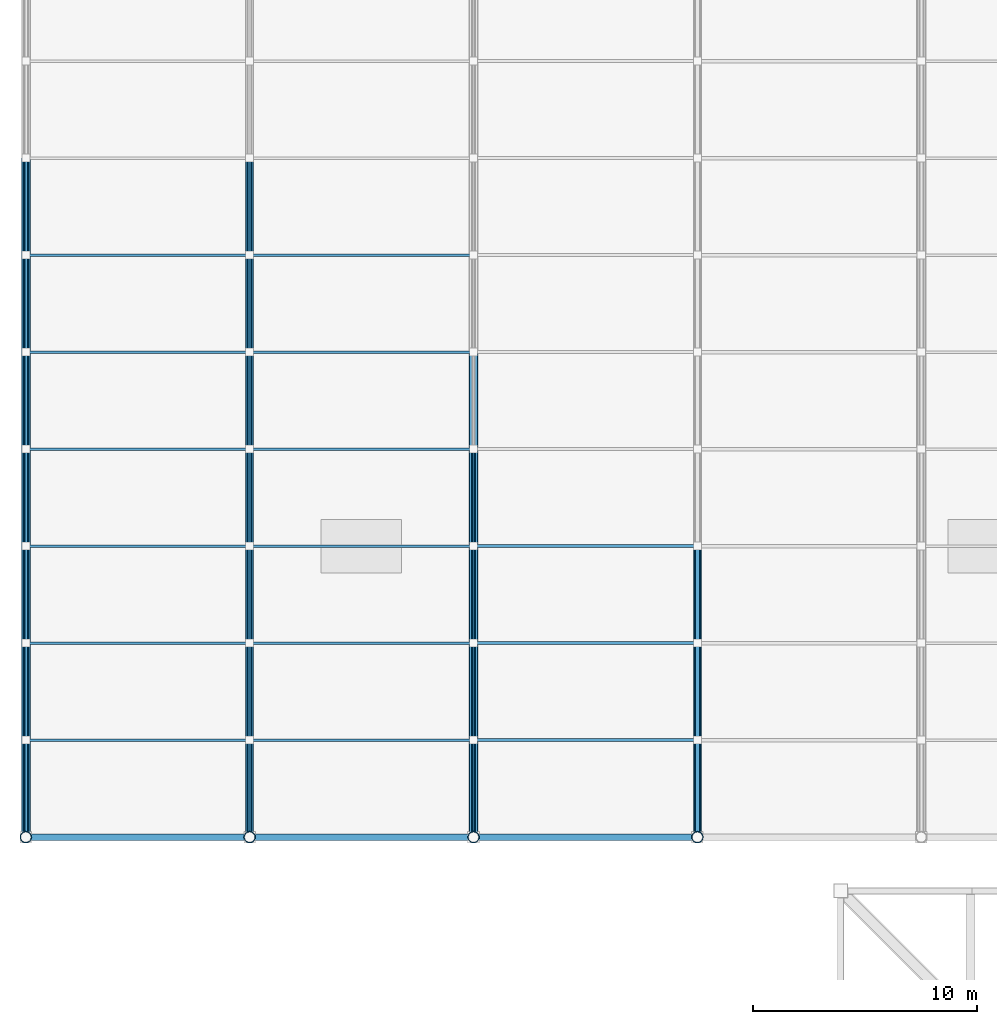
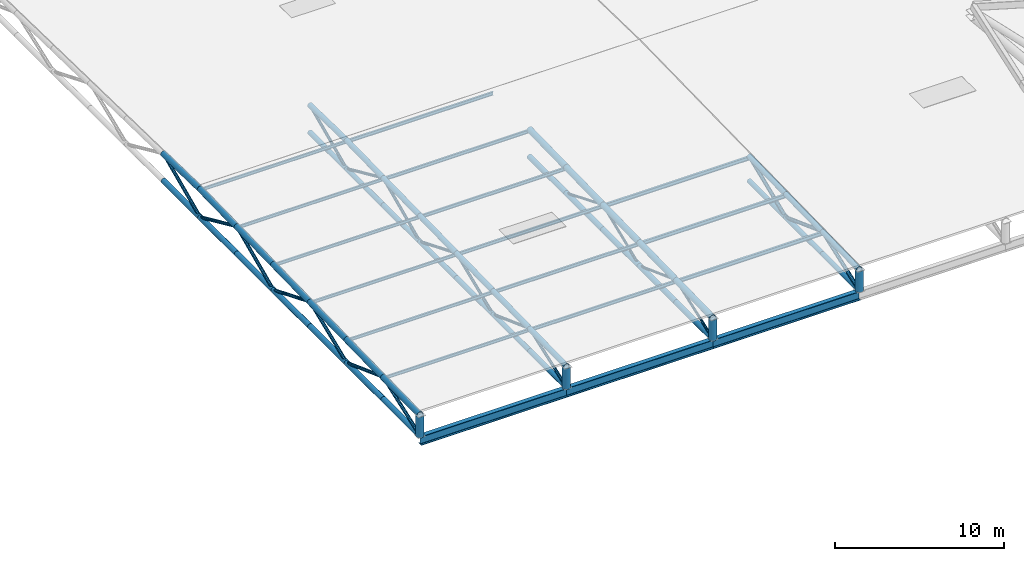
# One storey, part 12 of 75: 84 members, 3 beams.
"""IFC4 building model written with IfcOpenShell, lengths in metres."""

from ifc_helpers import new_model, si_unit, direction, frame, origin, origin_2d, place, context, subcontext, project, spatial, hollow_circle, i_section, extrude, material, material_profile, profile_set, type_object, element, save


model = new_model("IFC4")

# Units and contexts
model_context = context("Model", 3, precision=1e-05, world=origin(), true_north=direction((0.0, 1.0)))
body_context = subcontext(model_context, "Body", "Model", "MODEL_VIEW")
ifc_project = project(units=[si_unit("LENGTHUNIT", "METRE"), si_unit("AREAUNIT", "SQUARE_METRE"), si_unit("VOLUMEUNIT", "CUBIC_METRE"), si_unit("PLANEANGLEUNIT", "RADIAN"), si_unit("MASSUNIT", "GRAM", prefix="KILO")], contexts=[model_context])

# Site, building, storey
site_placement = place(None, origin())
site = spatial("IfcSite", under=ifc_project, at=site_placement, CompositionType="ELEMENT")
building_placement = place(site_placement, origin())
building = spatial("IfcBuilding", under=site, at=building_placement, Name="Khorjan Park Terminus", CompositionType="ELEMENT")
storey_placement = place(building_placement, frame((0.0, 0.0, 16.2)))
storey = spatial("IfcBuildingStorey", under=building, at=storey_placement, Name="L03", CompositionType="ELEMENT", Elevation=16.2)

# Members
ifc_material = material(Name="Steel S355", Category="steel")
ifc_material_profile_1 = material_profile(ifc_material, hollow_circle(Radius=0.0842, WallThickness=0.008, at=origin_2d()), Name="CHS 168.3x8")
ifc_profile_set_1 = profile_set([ifc_material_profile_1], Name="Steel S355")
member_type_1 = type_object("IfcMemberType", Name="MB-BR-168", PredefinedType="BRACE", material=ifc_profile_set_1)
member_1_placement = place(storey_placement, frame((20.0, 102.0, -2.6), z_axis=(0.0, 0.938678487602, 0.344793701963), x_axis=(-1.0, 0.0, 0.0)))
element("IfcMember", 1, at=member_1_placement, inside=storey, type_object=member_type_1, Name="Train shed flat truss web diagonal TB-17 (T3)", PredefinedType="BRACE", context=body_context, shape_type="SweptSolid", body=[
    extrude(hollow_circle(Radius=0.0842, WallThickness=0.008, at=origin_2d()), origin(), (0.0, 0.0, 1.0), 4.6164),
])
member_2_placement = place(storey_placement, frame((20.0, 106.3333, -1.0083), z_axis=(0.0, 0.938681062758, -0.344786691187), x_axis=(-1.0, 0.0, 0.0)))
element("IfcMember", 2, at=member_2_placement, inside=storey, type_object=member_type_1, Name="Train shed flat truss web diagonal TB-17 (T3)", PredefinedType="BRACE", context=body_context, shape_type="SweptSolid", body=[
    extrude(hollow_circle(Radius=0.0842, WallThickness=0.008, at=origin_2d()), origin(), (0.0, 0.0, 1.0), 4.6165),
])
for number, where, z_axis, x_axis, name in (
    (3, (20.0, 110.6667, -2.6), (0.0, 0.92537575721, 0.379051062481), (-1.0, 0.0, 0.0), "Train shed flat truss web diagonal TB-17 (T3)"),
    (4, (20.0, 115.0, -0.825), (0.0, 0.92537575721, -0.379051062481), (-1.0, 0.0, 0.0), "Train shed flat truss web diagonal TB-17 (T3)"),
):
    element("IfcMember", number, at=place(storey_placement, frame(where, z_axis=z_axis, x_axis=x_axis)), inside=storey, type_object=member_type_1, Name=name, PredefinedType="BRACE", context=body_context, shape_type="SweptSolid", body=[
        extrude(hollow_circle(Radius=0.0842, WallThickness=0.008, at=origin_2d()), origin(), (0.0, 0.0, 1.0), 4.6827),
    ])
ifc_material_profile_2 = material_profile(ifc_material, hollow_circle(Radius=0.0969, WallThickness=0.01, at=origin_2d()), Name="CHS 193.7x10")
ifc_profile_set_2 = profile_set([ifc_material_profile_2], Name="Steel S355")
member_type_2 = type_object("IfcMemberType", Name="MB-BR-194", PredefinedType="BRACE", material=ifc_profile_set_2)
member_3_placement = place(storey_placement, frame((10.0, 102.0, -2.6), z_axis=(0.0, 0.938678487602, 0.344793701963), x_axis=(-1.0, 0.0, 0.0)))
element("IfcMember", 5, at=member_3_placement, inside=storey, type_object=member_type_2, Name="Train shed flat truss web diagonal TB-19 (T2)", PredefinedType="BRACE", context=body_context, shape_type="SweptSolid", body=[
    extrude(hollow_circle(Radius=0.0969, WallThickness=0.01, at=origin_2d()), origin(), (0.0, 0.0, 1.0), 4.6164),
])
member_4_placement = place(storey_placement, frame((10.0, 106.3333, -1.0083), z_axis=(0.0, 0.938681062758, -0.344786691187), x_axis=(-1.0, 0.0, 0.0)))
element("IfcMember", 6, at=member_4_placement, inside=storey, type_object=member_type_2, Name="Train shed flat truss web diagonal TB-19 (T2)", PredefinedType="BRACE", context=body_context, shape_type="SweptSolid", body=[
    extrude(hollow_circle(Radius=0.0969, WallThickness=0.01, at=origin_2d()), origin(), (0.0, 0.0, 1.0), 4.6165),
])
for number, where, z_axis, x_axis, name in (
    (7, (10.0, 110.6667, -2.6), (0.0, 0.92537575721, 0.379051062481), (-1.0, 0.0, 0.0), "Train shed flat truss web diagonal TB-19 (T2)"),
    (8, (10.0, 115.0, -0.825), (0.0, 0.92537575721, -0.379051062481), (-1.0, 0.0, 0.0), "Train shed flat truss web diagonal TB-19 (T2)"),
):
    element("IfcMember", number, at=place(storey_placement, frame(where, z_axis=z_axis, x_axis=x_axis)), inside=storey, type_object=member_type_2, Name=name, PredefinedType="BRACE", context=body_context, shape_type="SweptSolid", body=[
        extrude(hollow_circle(Radius=0.0969, WallThickness=0.01, at=origin_2d()), origin(), (0.0, 0.0, 1.0), 4.6827),
    ])
for number, where, z_axis, x_axis, name in (
    (9, (10.0, 119.3333, -2.6), (0.0, 0.911269553162, 0.411810395061), (-1.0, 0.0, 0.0), "Train shed flat truss web diagonal TB-19 (T2)"),
    (10, (10.0, 123.6667, -0.6417), (0.0, 0.911265986802, -0.411818286745), (-1.0, 0.0, 0.0), "Train shed flat truss web diagonal TB-19 (T2)"),
    (11, (10.0, 128.0, -2.6), (0.0, 0.911265986802, 0.411818286745), (-1.0, 0.0, 0.0), "Train shed flat truss web diagonal TB-19 (T2)"),
):
    element("IfcMember", number, at=place(storey_placement, frame(where, z_axis=z_axis, x_axis=x_axis)), inside=storey, type_object=member_type_2, Name=name, PredefinedType="BRACE", context=body_context, shape_type="SweptSolid", body=[
        extrude(hollow_circle(Radius=0.0969, WallThickness=0.01, at=origin_2d()), origin(), (0.0, 0.0, 1.0), 4.7553),
    ])
ifc_material_profile_3 = material_profile(ifc_material, hollow_circle(Radius=0.1095, WallThickness=0.01, at=origin_2d()), Name="CHS 219.1x10")
ifc_profile_set_3 = profile_set([ifc_material_profile_3], Name="Steel S355")
member_type_3 = type_object("IfcMemberType", Name="MB-BR-219", PredefinedType="BRACE", material=ifc_profile_set_3)
member_5_placement = place(storey_placement, frame((0.0, 102.0, -2.6), z_axis=(0.0, 0.938678487602, 0.344793701963), x_axis=(-1.0, 0.0, 0.0)))
element("IfcMember", 12, at=member_5_placement, inside=storey, type_object=member_type_3, Name="Train shed flat truss web diagonal TB-22 (T1)", PredefinedType="BRACE", context=body_context, shape_type="SweptSolid", body=[
    extrude(hollow_circle(Radius=0.1095, WallThickness=0.01, at=origin_2d()), origin(), (0.0, 0.0, 1.0), 4.6164),
])
member_6_placement = place(storey_placement, frame((0.0, 106.3333, -1.0083), z_axis=(0.0, 0.938681062758, -0.344786691187), x_axis=(-1.0, 0.0, 0.0)))
element("IfcMember", 13, at=member_6_placement, inside=storey, type_object=member_type_3, Name="Train shed flat truss web diagonal TB-22 (T1)", PredefinedType="BRACE", context=body_context, shape_type="SweptSolid", body=[
    extrude(hollow_circle(Radius=0.1095, WallThickness=0.01, at=origin_2d()), origin(), (0.0, 0.0, 1.0), 4.6165),
])
for number, where, z_axis, x_axis, name in (
    (14, (0.0, 110.6667, -2.6), (0.0, 0.92537575721, 0.379051062481), (-1.0, 0.0, 0.0), "Train shed flat truss web diagonal TB-22 (T1)"),
    (15, (0.0, 115.0, -0.825), (0.0, 0.92537575721, -0.379051062481), (-1.0, 0.0, 0.0), "Train shed flat truss web diagonal TB-22 (T1)"),
):
    element("IfcMember", number, at=place(storey_placement, frame(where, z_axis=z_axis, x_axis=x_axis)), inside=storey, type_object=member_type_3, Name=name, PredefinedType="BRACE", context=body_context, shape_type="SweptSolid", body=[
        extrude(hollow_circle(Radius=0.1095, WallThickness=0.01, at=origin_2d()), origin(), (0.0, 0.0, 1.0), 4.6827),
    ])
for number, where, z_axis, x_axis, name in (
    (16, (0.0, 119.3333, -2.6), (0.0, 0.911269553162, 0.411810395061), (-1.0, 0.0, 0.0), "Train shed flat truss web diagonal TB-22 (T1)"),
    (17, (0.0, 123.6667, -0.6417), (0.0, 0.911265986802, -0.411818286745), (-1.0, 0.0, 0.0), "Train shed flat truss web diagonal TB-22 (T1)"),
    (18, (0.0, 128.0, -2.6), (0.0, 0.911265986802, 0.411818286745), (-1.0, 0.0, 0.0), "Train shed flat truss web diagonal TB-22 (T1)"),
):
    element("IfcMember", number, at=place(storey_placement, frame(where, z_axis=z_axis, x_axis=x_axis)), inside=storey, type_object=member_type_3, Name=name, PredefinedType="BRACE", context=body_context, shape_type="SweptSolid", body=[
        extrude(hollow_circle(Radius=0.1095, WallThickness=0.01, at=origin_2d()), origin(), (0.0, 0.0, 1.0), 4.7553),
    ])
ifc_material_profile_4 = material_profile(ifc_material, hollow_circle(Radius=0.1222, WallThickness=0.0125, at=origin_2d()), Name="CHS 244.5x12.5")
ifc_profile_set_4 = profile_set([ifc_material_profile_4], Name="Steel S355")
member_type_4 = type_object("IfcMemberType", Name="MB-BR-245", PredefinedType="BRACE", material=ifc_profile_set_4)
member_7_placement = place(storey_placement, frame((30.0, 102.0, -2.6), z_axis=(0.0, 0.938678487602, 0.344793701963), x_axis=(-1.0, 0.0, 0.0)))
element("IfcMember", 19, at=member_7_placement, inside=storey, type_object=member_type_4, Name="Train shed flat truss web diagonal TB-24 (T4)", PredefinedType="BRACE", context=body_context, shape_type="SweptSolid", body=[
    extrude(hollow_circle(Radius=0.1222, WallThickness=0.0125, at=origin_2d()), origin(), (0.0, 0.0, 1.0), 4.6164),
])
member_8_placement = place(storey_placement, frame((30.0, 106.3333, -1.0083), z_axis=(0.0, 0.938681062758, -0.344786691187), x_axis=(-1.0, 0.0, 0.0)))
element("IfcMember", 20, at=member_8_placement, inside=storey, type_object=member_type_4, Name="Train shed flat truss web diagonal TB-24 (T4)", PredefinedType="BRACE", context=body_context, shape_type="SweptSolid", body=[
    extrude(hollow_circle(Radius=0.1222, WallThickness=0.0125, at=origin_2d()), origin(), (0.0, 0.0, 1.0), 4.6165),
])
member_9_placement = place(storey_placement, frame((30.0, 110.6667, -2.6), z_axis=(0.0, 0.92537575721, 0.379051062481), x_axis=(-1.0, 0.0, 0.0)))
element("IfcMember", 21, at=member_9_placement, inside=storey, type_object=member_type_4, Name="Train shed flat truss web diagonal TB-24 (T4)", PredefinedType="BRACE", context=body_context, shape_type="SweptSolid", body=[
    extrude(hollow_circle(Radius=0.1222, WallThickness=0.0125, at=origin_2d()), origin(), (0.0, 0.0, 1.0), 4.6827),
])
ifc_material_profile_5 = material_profile(ifc_material, hollow_circle(Radius=0.162, WallThickness=0.0125, at=origin_2d()), Name="CHS 323.9x12.5")
ifc_profile_set_5 = profile_set([ifc_material_profile_5], Name="Steel S355")
member_type_5 = type_object("IfcMemberType", Name="MB-CH-324", PredefinedType="CHORD", material=ifc_profile_set_5)
member_10_placement = place(storey_placement, frame((10.0, 102.0, -2.6), z_axis=(0.0, 1.0, 0.0), x_axis=(-1.0, 0.0, 0.0)))
element("IfcMember", 22, at=member_10_placement, inside=storey, type_object=member_type_5, Name="Train shed flat truss bottom chord TC-32 (T2)", PredefinedType="CHORD", context=body_context, shape_type="SweptSolid", body=[
    extrude(hollow_circle(Radius=0.162, WallThickness=0.0125, at=origin_2d()), origin(), (0.0, 0.0, 1.0), 4.3333),
])
member_11_placement = place(storey_placement, frame((10.0, 106.3333, -2.6), z_axis=(0.0, 1.0, 0.0), x_axis=(-1.0, 0.0, 0.0)))
element("IfcMember", 23, at=member_11_placement, inside=storey, type_object=member_type_5, Name="Train shed flat truss bottom chord TC-32 (T2)", PredefinedType="CHORD", context=body_context, shape_type="SweptSolid", body=[
    extrude(hollow_circle(Radius=0.162, WallThickness=0.0125, at=origin_2d()), origin(), (0.0, 0.0, 1.0), 4.3334),
])
for number, where, z_axis, x_axis, name in (
    (24, (10.0, 110.6667, -2.6), (0.0, 1.0, 0.0), (-1.0, 0.0, 0.0), "Train shed flat truss bottom chord TC-32 (T2)"),
    (25, (10.0, 115.0, -2.6), (0.0, 1.0, 0.0), (-1.0, 0.0, 0.0), "Train shed flat truss bottom chord TC-32 (T2)"),
):
    element("IfcMember", number, at=place(storey_placement, frame(where, z_axis=z_axis, x_axis=x_axis)), inside=storey, type_object=member_type_5, Name=name, PredefinedType="CHORD", context=body_context, shape_type="SweptSolid", body=[
        extrude(hollow_circle(Radius=0.162, WallThickness=0.0125, at=origin_2d()), origin(), (0.0, 0.0, 1.0), 4.3333),
    ])
member_12_placement = place(storey_placement, frame((10.0, 119.3333, -2.6), z_axis=(0.0, 1.0, 0.0), x_axis=(-1.0, 0.0, 0.0)))
element("IfcMember", 26, at=member_12_placement, inside=storey, type_object=member_type_5, Name="Train shed flat truss bottom chord TC-32 (T2)", PredefinedType="CHORD", context=body_context, shape_type="SweptSolid", body=[
    extrude(hollow_circle(Radius=0.162, WallThickness=0.0125, at=origin_2d()), origin(), (0.0, 0.0, 1.0), 4.3334),
])
for number, where, z_axis, x_axis, name in (
    (27, (10.0, 123.6667, -2.6), (0.0, 1.0, 0.0), (-1.0, 0.0, 0.0), "Train shed flat truss bottom chord TC-32 (T2)"),
    (28, (10.0, 128.0, -2.6), (0.0, 1.0, 0.0), (-1.0, 0.0, 0.0), "Train shed flat truss bottom chord TC-32 (T2)"),
    (29, (30.0, 102.0, -2.6), (0.0, 1.0, 0.0), (-1.0, 0.0, 0.0), "Train shed flat truss bottom chord TC-32 (T4)"),
):
    element("IfcMember", number, at=place(storey_placement, frame(where, z_axis=z_axis, x_axis=x_axis)), inside=storey, type_object=member_type_5, Name=name, PredefinedType="CHORD", context=body_context, shape_type="SweptSolid", body=[
        extrude(hollow_circle(Radius=0.162, WallThickness=0.0125, at=origin_2d()), origin(), (0.0, 0.0, 1.0), 4.3333),
    ])
member_13_placement = place(storey_placement, frame((30.0, 106.3333, -2.6), z_axis=(0.0, 1.0, 0.0), x_axis=(-1.0, 0.0, 0.0)))
element("IfcMember", 30, at=member_13_placement, inside=storey, type_object=member_type_5, Name="Train shed flat truss bottom chord TC-32 (T4)", PredefinedType="CHORD", context=body_context, shape_type="SweptSolid", body=[
    extrude(hollow_circle(Radius=0.162, WallThickness=0.0125, at=origin_2d()), origin(), (0.0, 0.0, 1.0), 4.3334),
])
member_14_placement = place(storey_placement, frame((30.0, 110.6667, -2.6), z_axis=(0.0, 1.0, 0.0), x_axis=(-1.0, 0.0, 0.0)))
element("IfcMember", 31, at=member_14_placement, inside=storey, type_object=member_type_5, Name="Train shed flat truss bottom chord TC-32 (T4)", PredefinedType="CHORD", context=body_context, shape_type="SweptSolid", body=[
    extrude(hollow_circle(Radius=0.162, WallThickness=0.0125, at=origin_2d()), origin(), (0.0, 0.0, 1.0), 4.3333),
])
ifc_material_profile_6 = material_profile(ifc_material, hollow_circle(Radius=0.1778, WallThickness=0.016, at=origin_2d()), Name="CHS 355.6x16")
ifc_profile_set_6 = profile_set([ifc_material_profile_6], Name="Steel S355")
member_type_6 = type_object("IfcMemberType", Name="MB-CH-356", PredefinedType="CHORD", material=ifc_profile_set_6)
member_15_placement = place(storey_placement, frame((0.0, 102.0, -2.6), z_axis=(0.0, 1.0, 0.0), x_axis=(-1.0, 0.0, 0.0)))
element("IfcMember", 32, at=member_15_placement, inside=storey, type_object=member_type_6, Name="Train shed flat truss bottom chord TC-36 (T1)", PredefinedType="CHORD", context=body_context, shape_type="SweptSolid", body=[
    extrude(hollow_circle(Radius=0.1778, WallThickness=0.016, at=origin_2d()), origin(), (0.0, 0.0, 1.0), 4.3333),
])
member_16_placement = place(storey_placement, frame((0.0, 106.3333, -2.6), z_axis=(0.0, 1.0, 0.0), x_axis=(-1.0, 0.0, 0.0)))
element("IfcMember", 33, at=member_16_placement, inside=storey, type_object=member_type_6, Name="Train shed flat truss bottom chord TC-36 (T1)", PredefinedType="CHORD", context=body_context, shape_type="SweptSolid", body=[
    extrude(hollow_circle(Radius=0.1778, WallThickness=0.016, at=origin_2d()), origin(), (0.0, 0.0, 1.0), 4.3334),
])
for number, where, z_axis, x_axis, name in (
    (34, (0.0, 110.6667, -2.6), (0.0, 1.0, 0.0), (-1.0, 0.0, 0.0), "Train shed flat truss bottom chord TC-36 (T1)"),
    (35, (0.0, 115.0, -2.6), (0.0, 1.0, 0.0), (-1.0, 0.0, 0.0), "Train shed flat truss bottom chord TC-36 (T1)"),
):
    element("IfcMember", number, at=place(storey_placement, frame(where, z_axis=z_axis, x_axis=x_axis)), inside=storey, type_object=member_type_6, Name=name, PredefinedType="CHORD", context=body_context, shape_type="SweptSolid", body=[
        extrude(hollow_circle(Radius=0.1778, WallThickness=0.016, at=origin_2d()), origin(), (0.0, 0.0, 1.0), 4.3333),
    ])
member_17_placement = place(storey_placement, frame((0.0, 119.3333, -2.6), z_axis=(0.0, 1.0, 0.0), x_axis=(-1.0, 0.0, 0.0)))
element("IfcMember", 36, at=member_17_placement, inside=storey, type_object=member_type_6, Name="Train shed flat truss bottom chord TC-36 (T1)", PredefinedType="CHORD", context=body_context, shape_type="SweptSolid", body=[
    extrude(hollow_circle(Radius=0.1778, WallThickness=0.016, at=origin_2d()), origin(), (0.0, 0.0, 1.0), 4.3334),
])
for number, where, z_axis, x_axis, name in (
    (37, (0.0, 123.6667, -2.6), (0.0, 1.0, 0.0), (-1.0, 0.0, 0.0), "Train shed flat truss bottom chord TC-36 (T1)"),
    (38, (0.0, 128.0, -2.6), (0.0, 1.0, 0.0), (-1.0, 0.0, 0.0), "Train shed flat truss bottom chord TC-36 (T1)"),
):
    element("IfcMember", number, at=place(storey_placement, frame(where, z_axis=z_axis, x_axis=x_axis)), inside=storey, type_object=member_type_6, Name=name, PredefinedType="CHORD", context=body_context, shape_type="SweptSolid", body=[
        extrude(hollow_circle(Radius=0.1778, WallThickness=0.016, at=origin_2d()), origin(), (0.0, 0.0, 1.0), 4.3333),
    ])
member_18_placement = place(storey_placement, frame((10.0, 102.0, -1.1), z_axis=(0.0, 0.999776166375, 0.021156964544), x_axis=(-1.0, 0.0, 0.0)))
element("IfcMember", 39, at=member_18_placement, inside=storey, type_object=member_type_6, Name="Train shed flat truss top chord TC-36 (T2)", PredefinedType="CHORD", context=body_context, shape_type="SweptSolid", body=[
    extrude(hollow_circle(Radius=0.1778, WallThickness=0.016, at=origin_2d()), origin(), (0.0, 0.0, 1.0), 4.3343),
])
member_19_placement = place(storey_placement, frame((10.0, 106.3333, -1.0083), z_axis=(0.0, 0.999776664437, 0.021133415439), x_axis=(-1.0, 0.0, 0.0)))
element("IfcMember", 40, at=member_19_placement, inside=storey, type_object=member_type_6, Name="Train shed flat truss top chord TC-36 (T2)", PredefinedType="CHORD", context=body_context, shape_type="SweptSolid", body=[
    extrude(hollow_circle(Radius=0.1778, WallThickness=0.016, at=origin_2d()), origin(), (0.0, 0.0, 1.0), 4.3344),
])
for number, where, z_axis, x_axis, name in (
    (41, (10.0, 110.6667, -0.9167), (0.0, 0.999776166375, 0.021156964544), (-1.0, 0.0, 0.0), "Train shed flat truss top chord TC-36 (T2)"),
    (42, (10.0, 115.0, -0.825), (0.0, 0.999776166375, 0.021156964544), (-1.0, 0.0, 0.0), "Train shed flat truss top chord TC-36 (T2)"),
):
    element("IfcMember", number, at=place(storey_placement, frame(where, z_axis=z_axis, x_axis=x_axis)), inside=storey, type_object=member_type_6, Name=name, PredefinedType="CHORD", context=body_context, shape_type="SweptSolid", body=[
        extrude(hollow_circle(Radius=0.1778, WallThickness=0.016, at=origin_2d()), origin(), (0.0, 0.0, 1.0), 4.3343),
    ])
member_20_placement = place(storey_placement, frame((10.0, 119.3333, -0.7333), z_axis=(0.0, 0.999776664437, 0.021133415439), x_axis=(-1.0, 0.0, 0.0)))
element("IfcMember", 43, at=member_20_placement, inside=storey, type_object=member_type_6, Name="Train shed flat truss top chord TC-36 (T2)", PredefinedType="CHORD", context=body_context, shape_type="SweptSolid", body=[
    extrude(hollow_circle(Radius=0.1778, WallThickness=0.016, at=origin_2d()), origin(), (0.0, 0.0, 1.0), 4.3344),
])
for number, where, z_axis, x_axis, name in (
    (44, (10.0, 123.6667, -0.6417), (0.0, 0.999776166375, 0.021156964544), (-1.0, 0.0, 0.0), "Train shed flat truss top chord TC-36 (T2)"),
    (45, (10.0, 128.0, -0.55), (0.0, 0.999776166375, -0.021156964544), (-1.0, 0.0, 0.0), "Train shed flat truss top chord TC-36 (T2)"),
):
    element("IfcMember", number, at=place(storey_placement, frame(where, z_axis=z_axis, x_axis=x_axis)), inside=storey, type_object=member_type_6, Name=name, PredefinedType="CHORD", context=body_context, shape_type="SweptSolid", body=[
        extrude(hollow_circle(Radius=0.1778, WallThickness=0.016, at=origin_2d()), origin(), (0.0, 0.0, 1.0), 4.3343),
    ])
member_21_placement = place(storey_placement, frame((20.0, 102.0, -2.6), z_axis=(0.0, 1.0, 0.0), x_axis=(-1.0, 0.0, 0.0)))
element("IfcMember", 46, at=member_21_placement, inside=storey, type_object=member_type_6, Name="Train shed flat truss bottom chord TC-36 (T3)", PredefinedType="CHORD", context=body_context, shape_type="SweptSolid", body=[
    extrude(hollow_circle(Radius=0.1778, WallThickness=0.016, at=origin_2d()), origin(), (0.0, 0.0, 1.0), 4.3333),
])
member_22_placement = place(storey_placement, frame((20.0, 106.3333, -2.6), z_axis=(0.0, 1.0, 0.0), x_axis=(-1.0, 0.0, 0.0)))
element("IfcMember", 47, at=member_22_placement, inside=storey, type_object=member_type_6, Name="Train shed flat truss bottom chord TC-36 (T3)", PredefinedType="CHORD", context=body_context, shape_type="SweptSolid", body=[
    extrude(hollow_circle(Radius=0.1778, WallThickness=0.016, at=origin_2d()), origin(), (0.0, 0.0, 1.0), 4.3334),
])
for number, where, z_axis, x_axis, name in (
    (48, (20.0, 110.6667, -2.6), (0.0, 1.0, 0.0), (-1.0, 0.0, 0.0), "Train shed flat truss bottom chord TC-36 (T3)"),
    (49, (20.0, 115.0, -2.6), (0.0, 1.0, 0.0), (-1.0, 0.0, 0.0), "Train shed flat truss bottom chord TC-36 (T3)"),
):
    element("IfcMember", number, at=place(storey_placement, frame(where, z_axis=z_axis, x_axis=x_axis)), inside=storey, type_object=member_type_6, Name=name, PredefinedType="CHORD", context=body_context, shape_type="SweptSolid", body=[
        extrude(hollow_circle(Radius=0.1778, WallThickness=0.016, at=origin_2d()), origin(), (0.0, 0.0, 1.0), 4.3333),
    ])
member_23_placement = place(storey_placement, frame((20.0, 119.3333, -2.6), z_axis=(0.0, 1.0, 0.0), x_axis=(-1.0, 0.0, 0.0)))
element("IfcMember", 50, at=member_23_placement, inside=storey, type_object=member_type_6, Name="Train shed flat truss bottom chord TC-36 (T3)", PredefinedType="CHORD", context=body_context, shape_type="SweptSolid", body=[
    extrude(hollow_circle(Radius=0.1778, WallThickness=0.016, at=origin_2d()), origin(), (0.0, 0.0, 1.0), 4.3334),
])
member_24_placement = place(storey_placement, frame((30.0, 102.0, -1.1), z_axis=(0.0, 0.999776166375, 0.021156964544), x_axis=(-1.0, 0.0, 0.0)))
element("IfcMember", 51, at=member_24_placement, inside=storey, type_object=member_type_6, Name="Train shed flat truss top chord TC-36 (T4)", PredefinedType="CHORD", context=body_context, shape_type="SweptSolid", body=[
    extrude(hollow_circle(Radius=0.1778, WallThickness=0.016, at=origin_2d()), origin(), (0.0, 0.0, 1.0), 4.3343),
])
member_25_placement = place(storey_placement, frame((30.0, 106.3333, -1.0083), z_axis=(0.0, 0.999776664437, 0.021133415439), x_axis=(-1.0, 0.0, 0.0)))
element("IfcMember", 52, at=member_25_placement, inside=storey, type_object=member_type_6, Name="Train shed flat truss top chord TC-36 (T4)", PredefinedType="CHORD", context=body_context, shape_type="SweptSolid", body=[
    extrude(hollow_circle(Radius=0.1778, WallThickness=0.016, at=origin_2d()), origin(), (0.0, 0.0, 1.0), 4.3344),
])
member_26_placement = place(storey_placement, frame((30.0, 110.6667, -0.9167), z_axis=(0.0, 0.999776166375, 0.021156964544), x_axis=(-1.0, 0.0, 0.0)))
element("IfcMember", 53, at=member_26_placement, inside=storey, type_object=member_type_6, Name="Train shed flat truss top chord TC-36 (T4)", PredefinedType="CHORD", context=body_context, shape_type="SweptSolid", body=[
    extrude(hollow_circle(Radius=0.1778, WallThickness=0.016, at=origin_2d()), origin(), (0.0, 0.0, 1.0), 4.3343),
])
ifc_material_profile_7 = material_profile(ifc_material, hollow_circle(Radius=0.2032, WallThickness=0.016, at=origin_2d()), Name="CHS 406.4x16")
ifc_profile_set_7 = profile_set([ifc_material_profile_7], Name="Steel S355")
member_type_7 = type_object("IfcMemberType", Name="MB-CH-406", PredefinedType="CHORD", material=ifc_profile_set_7)
member_27_placement = place(storey_placement, frame((0.0, 102.0, -1.1), z_axis=(0.0, 0.999776166375, 0.021156964544), x_axis=(-1.0, 0.0, 0.0)))
element("IfcMember", 54, at=member_27_placement, inside=storey, type_object=member_type_7, Name="Train shed flat truss top chord TC-41 (T1)", PredefinedType="CHORD", context=body_context, shape_type="SweptSolid", body=[
    extrude(hollow_circle(Radius=0.2032, WallThickness=0.016, at=origin_2d()), origin(), (0.0, 0.0, 1.0), 4.3343),
])
member_28_placement = place(storey_placement, frame((0.0, 106.3333, -1.0083), z_axis=(0.0, 0.999776664437, 0.021133415439), x_axis=(-1.0, 0.0, 0.0)))
element("IfcMember", 55, at=member_28_placement, inside=storey, type_object=member_type_7, Name="Train shed flat truss top chord TC-41 (T1)", PredefinedType="CHORD", context=body_context, shape_type="SweptSolid", body=[
    extrude(hollow_circle(Radius=0.2032, WallThickness=0.016, at=origin_2d()), origin(), (0.0, 0.0, 1.0), 4.3344),
])
for number, where, z_axis, x_axis, name in (
    (56, (0.0, 110.6667, -0.9167), (0.0, 0.999776166375, 0.021156964544), (-1.0, 0.0, 0.0), "Train shed flat truss top chord TC-41 (T1)"),
    (57, (0.0, 115.0, -0.825), (0.0, 0.999776166375, 0.021156964544), (-1.0, 0.0, 0.0), "Train shed flat truss top chord TC-41 (T1)"),
):
    element("IfcMember", number, at=place(storey_placement, frame(where, z_axis=z_axis, x_axis=x_axis)), inside=storey, type_object=member_type_7, Name=name, PredefinedType="CHORD", context=body_context, shape_type="SweptSolid", body=[
        extrude(hollow_circle(Radius=0.2032, WallThickness=0.016, at=origin_2d()), origin(), (0.0, 0.0, 1.0), 4.3343),
    ])
member_29_placement = place(storey_placement, frame((0.0, 119.3333, -0.7333), z_axis=(0.0, 0.999776664437, 0.021133415439), x_axis=(-1.0, 0.0, 0.0)))
element("IfcMember", 58, at=member_29_placement, inside=storey, type_object=member_type_7, Name="Train shed flat truss top chord TC-41 (T1)", PredefinedType="CHORD", context=body_context, shape_type="SweptSolid", body=[
    extrude(hollow_circle(Radius=0.2032, WallThickness=0.016, at=origin_2d()), origin(), (0.0, 0.0, 1.0), 4.3344),
])
for number, where, z_axis, x_axis, name in (
    (59, (0.0, 123.6667, -0.6417), (0.0, 0.999776166375, 0.021156964544), (-1.0, 0.0, 0.0), "Train shed flat truss top chord TC-41 (T1)"),
    (60, (0.0, 128.0, -0.55), (0.0, 0.999776166375, -0.021156964544), (-1.0, 0.0, 0.0), "Train shed flat truss top chord TC-41 (T1)"),
    (61, (20.0, 102.0, -1.1), (0.0, 0.999776166375, 0.021156964544), (-1.0, 0.0, 0.0), "Train shed flat truss top chord TC-41 (T3)"),
):
    element("IfcMember", number, at=place(storey_placement, frame(where, z_axis=z_axis, x_axis=x_axis)), inside=storey, type_object=member_type_7, Name=name, PredefinedType="CHORD", context=body_context, shape_type="SweptSolid", body=[
        extrude(hollow_circle(Radius=0.2032, WallThickness=0.016, at=origin_2d()), origin(), (0.0, 0.0, 1.0), 4.3343),
    ])
member_30_placement = place(storey_placement, frame((20.0, 106.3333, -1.0083), z_axis=(0.0, 0.999776664437, 0.021133415439), x_axis=(-1.0, 0.0, 0.0)))
element("IfcMember", 62, at=member_30_placement, inside=storey, type_object=member_type_7, Name="Train shed flat truss top chord TC-41 (T3)", PredefinedType="CHORD", context=body_context, shape_type="SweptSolid", body=[
    extrude(hollow_circle(Radius=0.2032, WallThickness=0.016, at=origin_2d()), origin(), (0.0, 0.0, 1.0), 4.3344),
])
for number, where, z_axis, x_axis, name in (
    (63, (20.0, 110.6667, -0.9167), (0.0, 0.999776166375, 0.021156964544), (-1.0, 0.0, 0.0), "Train shed flat truss top chord TC-41 (T3)"),
    (64, (20.0, 115.0, -0.825), (0.0, 0.999776166375, 0.021156964544), (-1.0, 0.0, 0.0), "Train shed flat truss top chord TC-41 (T3)"),
):
    element("IfcMember", number, at=place(storey_placement, frame(where, z_axis=z_axis, x_axis=x_axis)), inside=storey, type_object=member_type_7, Name=name, PredefinedType="CHORD", context=body_context, shape_type="SweptSolid", body=[
        extrude(hollow_circle(Radius=0.2032, WallThickness=0.016, at=origin_2d()), origin(), (0.0, 0.0, 1.0), 4.3343),
    ])
member_31_placement = place(storey_placement, frame((20.0, 119.3333, -0.7333), z_axis=(0.0, 0.999776664437, 0.021133415439), x_axis=(-1.0, 0.0, 0.0)))
element("IfcMember", 65, at=member_31_placement, inside=storey, type_object=member_type_7, Name="Train shed flat truss top chord TC-41 (T3)", PredefinedType="CHORD", context=body_context, shape_type="SweptSolid", body=[
    extrude(hollow_circle(Radius=0.2032, WallThickness=0.016, at=origin_2d()), origin(), (0.0, 0.0, 1.0), 4.3344),
])
ifc_material_profile_8 = material_profile(ifc_material, i_section(OverallWidth=0.11, OverallDepth=0.22, WebThickness=0.0059, FlangeThickness=0.0092, FilletRadius=0.012, at=origin_2d()), Name="IPE 220")
ifc_profile_set_8 = profile_set([ifc_material_profile_8], Name="Steel S355")
member_type_8 = type_object("IfcMemberType", Name="MB-PR-IPE220", PredefinedType="PURLIN", material=ifc_profile_set_8)
for number, where, z_axis, x_axis, name in (
    (66, (0.0, 106.3333, -1.0983), (1.0, 0.0, 0.0), (0.0, 1.0, 0.0), "Train shed secondary roof purlin PR-22 (Bay 1)"),
    (67, (0.0, 110.6667, -1.0067), (1.0, 0.0, 0.0), (0.0, 1.0, 0.0), "Train shed secondary roof purlin PR-22 (Bay 1)"),
    (68, (0.0, 115.0, -0.915), (1.0, 0.0, 0.0), (0.0, 1.0, 0.0), "Train shed secondary roof purlin PR-22 (Bay 1)"),
    (69, (0.0, 119.3333, -0.8233), (1.0, 0.0, 0.0), (0.0, 1.0, 0.0), "Train shed secondary roof purlin PR-22 (Bay 1)"),
    (70, (0.0, 123.6667, -0.7317), (1.0, 0.0, 0.0), (0.0, 1.0, 0.0), "Train shed secondary roof purlin PR-22 (Bay 1)"),
    (71, (0.0, 128.0, -0.64), (1.0, 0.0, 0.0), (0.0, 1.0, 0.0), "Train shed secondary roof purlin PR-22 (Bay 1)"),
):
    element("IfcMember", number, at=place(storey_placement, frame(where, z_axis=z_axis, x_axis=x_axis)), inside=storey, type_object=member_type_8, Name=name, PredefinedType="PURLIN", context=body_context, shape_type="SweptSolid", body=[
        extrude(i_section(OverallWidth=0.11, OverallDepth=0.22, WebThickness=0.0059, FlangeThickness=0.0092, FilletRadius=0.012, at=origin_2d()), origin(), (0.0, 0.0, 1.0), 10.0),
    ])
ifc_material_profile_9 = material_profile(ifc_material, i_section(OverallWidth=0.12, OverallDepth=0.24, WebThickness=0.0062, FlangeThickness=0.0098, FilletRadius=0.015, at=origin_2d()), Name="IPE 240")
ifc_profile_set_9 = profile_set([ifc_material_profile_9], Name="Steel S355")
member_type_9 = type_object("IfcMemberType", Name="MB-PR-IPE240", PredefinedType="PURLIN", material=ifc_profile_set_9)
for number, where, z_axis, x_axis, name in (
    (72, (10.0, 106.3333, -1.1083), (1.0, 0.0, 0.0), (0.0, 1.0, 0.0), "Train shed secondary roof purlin PR-24 (Bay 2)"),
    (73, (10.0, 110.6667, -1.0167), (1.0, 0.0, 0.0), (0.0, 1.0, 0.0), "Train shed secondary roof purlin PR-24 (Bay 2)"),
    (74, (10.0, 115.0, -0.925), (1.0, 0.0, 0.0), (0.0, 1.0, 0.0), "Train shed secondary roof purlin PR-24 (Bay 2)"),
    (75, (10.0, 119.3333, -0.8333), (1.0, 0.0, 0.0), (0.0, 1.0, 0.0), "Train shed secondary roof purlin PR-24 (Bay 2)"),
    (76, (10.0, 123.6667, -0.7417), (1.0, 0.0, 0.0), (0.0, 1.0, 0.0), "Train shed secondary roof purlin PR-24 (Bay 2)"),
    (77, (10.0, 128.0, -0.65), (1.0, 0.0, 0.0), (0.0, 1.0, 0.0), "Train shed secondary roof purlin PR-24 (Bay 2)"),
):
    element("IfcMember", number, at=place(storey_placement, frame(where, z_axis=z_axis, x_axis=x_axis)), inside=storey, type_object=member_type_9, Name=name, PredefinedType="PURLIN", context=body_context, shape_type="SweptSolid", body=[
        extrude(i_section(OverallWidth=0.12, OverallDepth=0.24, WebThickness=0.0062, FlangeThickness=0.0098, FilletRadius=0.015, at=origin_2d()), origin(), (0.0, 0.0, 1.0), 10.0),
    ])
ifc_material_profile_10 = material_profile(ifc_material, i_section(OverallWidth=0.135, OverallDepth=0.27, WebThickness=0.0066, FlangeThickness=0.0102, FilletRadius=0.015, at=origin_2d()), Name="IPE 270")
ifc_profile_set_10 = profile_set([ifc_material_profile_10], Name="Steel S355")
member_type_10 = type_object("IfcMemberType", Name="MB-PR-IPE270", PredefinedType="PURLIN", material=ifc_profile_set_10)
for number, where, z_axis, x_axis, name in (
    (78, (20.0, 106.3333, -1.1233), (1.0, 0.0, 0.0), (0.0, 1.0, 0.0), "Train shed secondary roof purlin PR-27 (Bay 3)"),
    (79, (20.0, 110.6667, -1.0317), (1.0, 0.0, 0.0), (0.0, 1.0, 0.0), "Train shed secondary roof purlin PR-27 (Bay 3)"),
    (80, (20.0, 115.0, -0.94), (1.0, 0.0, 0.0), (0.0, 1.0, 0.0), "Train shed secondary roof purlin PR-27 (Bay 3)"),
):
    element("IfcMember", number, at=place(storey_placement, frame(where, z_axis=z_axis, x_axis=x_axis)), inside=storey, type_object=member_type_10, Name=name, PredefinedType="PURLIN", context=body_context, shape_type="SweptSolid", body=[
        extrude(i_section(OverallWidth=0.135, OverallDepth=0.27, WebThickness=0.0066, FlangeThickness=0.0102, FilletRadius=0.015, at=origin_2d()), origin(), (0.0, 0.0, 1.0), 10.0),
    ])
ifc_material_profile_11 = material_profile(ifc_material, hollow_circle(Radius=0.254, WallThickness=0.02, at=origin_2d()), Name="CHS 508x20")
ifc_profile_set_11 = profile_set([ifc_material_profile_11], Name="Steel S355")
member_type_11 = type_object("IfcMemberType", Name="MB-STE-508", PredefinedType="STRUT", material=ifc_profile_set_11)
for number, where, z_axis, x_axis, name in (
    (81, (0.0, 102.0, -2.62), (0.0, 0.0, 1.0), (1.0, 0.0, 0.0), "Train shed flat truss end post STE-51 (T1-S)"),
    (82, (10.0, 102.0, -2.62), (0.0, 0.0, 1.0), (1.0, 0.0, 0.0), "Train shed flat truss end post STE-51 (T2-S)"),
    (83, (20.0, 102.0, -2.62), (0.0, 0.0, 1.0), (1.0, 0.0, 0.0), "Train shed flat truss end post STE-51 (T3-S)"),
    (84, (30.0, 102.0, -2.62), (0.0, 0.0, 1.0), (1.0, 0.0, 0.0), "Train shed flat truss end post STE-51 (T4-S)"),
):
    element("IfcMember", number, at=place(storey_placement, frame(where, z_axis=z_axis, x_axis=x_axis)), inside=storey, type_object=member_type_11, Name=name, PredefinedType="STRUT", context=body_context, shape_type="SweptSolid", body=[
        extrude(hollow_circle(Radius=0.254, WallThickness=0.02, at=origin_2d()), origin(), (0.0, 0.0, 1.0), 1.52),
    ])

# Beams
ifc_material_profile_12 = material_profile(ifc_material, i_section(OverallWidth=0.3, OverallDepth=0.65, WebThickness=0.016, FlangeThickness=0.031, FilletRadius=0.027, at=origin_2d()), Name="HEB 650")
ifc_profile_set_12 = profile_set([ifc_material_profile_12], Name="Steel S355")
beam_type = type_object("IfcBeamType", Name="SP-HEB650E", PredefinedType="SPANDREL", material=ifc_profile_set_12)
for number, where, z_axis, x_axis, name in (
    (85, (0.0, 102.0, -2.925), (1.0, 0.0, 0.0), (0.0, 1.0, 0.0), "Train shed horizontal eave fascia girder SP-E65 (S1)"),
    (86, (10.0, 102.0, -2.925), (1.0, 0.0, 0.0), (0.0, 1.0, 0.0), "Train shed horizontal eave fascia girder SP-E65 (S2)"),
    (87, (20.0, 102.0, -2.925), (1.0, 0.0, 0.0), (0.0, 1.0, 0.0), "Train shed horizontal eave fascia girder SP-E65 (S3)"),
):
    element("IfcBeam", number, at=place(storey_placement, frame(where, z_axis=z_axis, x_axis=x_axis)), inside=storey, type_object=beam_type, Name=name, PredefinedType="SPANDREL", context=body_context, shape_type="SweptSolid", body=[
        extrude(i_section(OverallWidth=0.3, OverallDepth=0.65, WebThickness=0.016, FlangeThickness=0.031, FilletRadius=0.027, at=origin_2d()), origin(), (0.0, 0.0, 1.0), 10.0),
    ])

save(model, "model.ifc")
